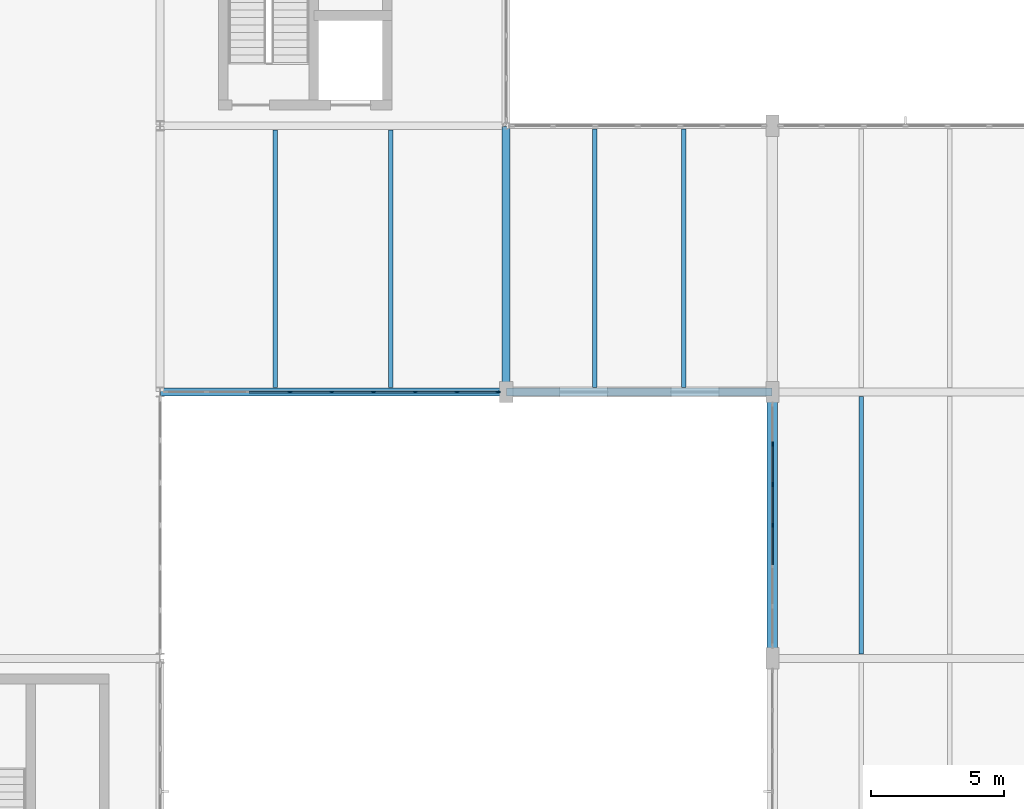
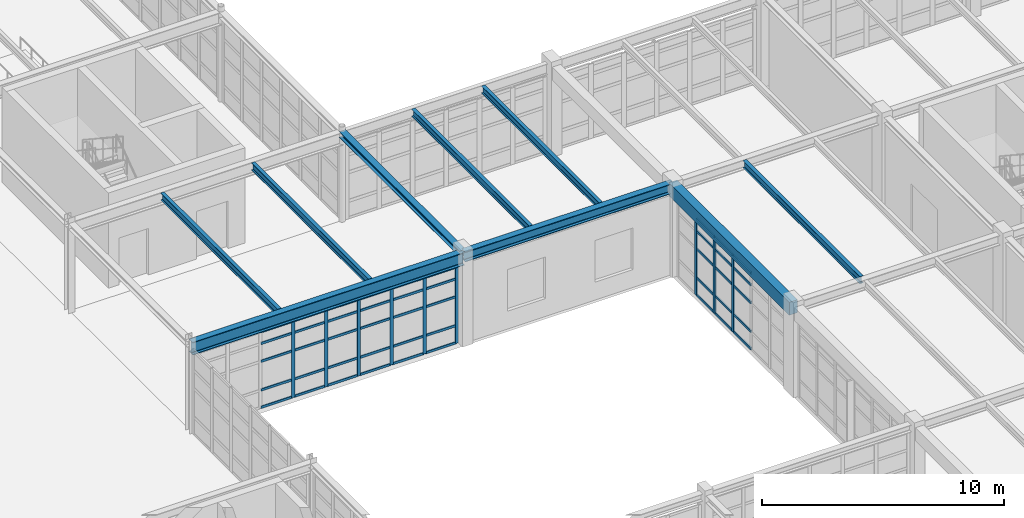
# One storey, part 72 of 139: 54 members, 9 beams, 2 elements without a shape of their own.
"""IFC4 building model written with IfcOpenShell, lengths in metres."""

import ifcopenshell
import ifcopenshell.guid

model = None  # the IFC model being written
_history = None  # IfcOwnerHistory: only IFC2X3 demands one
_inside = {}  # id of a spatial element -> (the spatial element, [elements in it])
_under = {}  # id of a project, library or spatial element -> (it, [spatial elements below it])
_declared = {}  # id of a project -> (the project, [libraries it declares])
_typed = {}  # id of a type object -> (the type object, [elements of that type])
_made_of = {}  # id of a material, layer set ... -> (it, [elements and type objects made of it])


def new_model(schema):
    """Start an empty IFC model of exactly this schema.

    Asked for "IFC4X3", IfcOpenShell would pick the latest addendum, in which some entities
    have other attributes; the version numbers below select the first issue.
    IFC2X3 requires an IfcOwnerHistory on every rooted entity: one is made here for all.
    """
    global model, _history
    if schema == "IFC4X3":
        model = ifcopenshell.file(schema_version=(4, 3, 0, 0))
    else:
        model = ifcopenshell.file(schema=schema)
    _inside.clear()
    _under.clear()
    _declared.clear()
    _typed.clear()
    _made_of.clear()
    _history = None
    if model.schema == "IFC2X3":
        org = make("IfcOrganization", Name="unknown")
        user = make(
            "IfcPersonAndOrganization",
            ThePerson=make("IfcPerson", FamilyName="unknown"),
            TheOrganization=org,
        )
        app = make(
            "IfcApplication",
            ApplicationDeveloper=org,
            Version="unknown",
            ApplicationFullName="unknown",
            ApplicationIdentifier="unknown",
        )
        _history = make(
            "IfcOwnerHistory",
            OwningUser=user,
            OwningApplication=app,
            ChangeAction="ADDED",
            CreationDate=0,
        )
    return model


def make(cls, **values):
    """One entity of the class cls with the attributes given. An attribute that is None is left unset."""
    return model.create_entity(
        cls, **{name: value for name, value in values.items() if value is not None}
    )


def rooted(cls, **values):
    """An entity with a GlobalId (a new one), such as an element, a storey or a relation."""
    return make(cls, GlobalId=ifcopenshell.guid.new(), OwnerHistory=_history, **values)


def si_unit(unit_type, name, prefix=None):
    """IfcSIUnit, for example si_unit("LENGTHUNIT", "METRE", prefix="MILLI")."""
    return make("IfcSIUnit", UnitType=unit_type, Prefix=prefix, Name=name)


def assignment(units):
    """IfcUnitAssignment: the units of a project."""
    return None if units is None else make("IfcUnitAssignment", Units=units)


def point(xyz):
    """IfcCartesianPoint."""
    return None if xyz is None else make("IfcCartesianPoint", Coordinates=xyz)


def direction(xyz):
    """IfcDirection."""
    return None if xyz is None else make("IfcDirection", DirectionRatios=xyz)


def frame(location, z_axis=None, x_axis=None):
    """IfcAxis2Placement3D, a coordinate frame: its origin and axes. An axis left out is left unset."""
    return make(
        "IfcAxis2Placement3D",
        Location=point(location),
        Axis=direction(z_axis),
        RefDirection=direction(x_axis),
    )


def frame_2d(location, x_axis=None):
    """IfcAxis2Placement2D, a coordinate frame in the plane: its origin and x axis."""
    return make(
        "IfcAxis2Placement2D", Location=point(location), RefDirection=direction(x_axis)
    )


def origin():
    """The frame at (0, 0, 0) with its axes left unset."""
    return frame((0.0, 0.0, 0.0))


def origin_2d():
    """The frame at (0, 0) in the plane with its x axis left unset."""
    return frame_2d((0.0, 0.0))


def place(relative_to, where):
    """IfcLocalPlacement: puts the frame where relative to a parent placement (None: the world)."""
    return make(
        "IfcLocalPlacement", PlacementRelTo=relative_to, RelativePlacement=where
    )


def context(
    kind, dimensions, precision=None, world=None, true_north=None, identifier=None
):
    """IfcGeometricRepresentationContext, for example the 3D "Model" context."""
    return make(
        "IfcGeometricRepresentationContext",
        ContextIdentifier=identifier,
        ContextType=kind,
        CoordinateSpaceDimension=dimensions,
        Precision=precision,
        WorldCoordinateSystem=world,
        TrueNorth=true_north,
    )


def subcontext(parent, identifier, kind, view, scale=None):
    """IfcGeometricRepresentationSubContext, for example "Body" below "Model"."""
    return make(
        "IfcGeometricRepresentationSubContext",
        ContextIdentifier=identifier,
        ContextType=kind,
        ParentContext=parent,
        TargetScale=scale,
        TargetView=view,
    )


def project(units=None, contexts=None):
    """IfcProject with its units and contexts."""
    return rooted(
        "IfcProject",
        Name="project",
        RepresentationContexts=contexts,
        UnitsInContext=assignment(units),
    )


def spatial(cls, under=None, at=None, **own):
    """A site, building, storey or space (cls), placed at a placement, below another one or the project."""
    s = rooted(cls, ObjectPlacement=at, **own)
    if under is not None:
        _under.setdefault(under.id(), (under, []))[1].append(s)
    return s


def profile(cls, at=None, kind="AREA", **sizes):
    """A parametric profile (cls). Its sizes go by their IFC names, for example OverallWidth=200.0."""
    return make(cls, ProfileType=kind, Position=at, **sizes)


def rectangle(**sizes):
    """IfcRectangleProfileDef."""
    return profile("IfcRectangleProfileDef", **sizes)


def i_section(**sizes):
    """IfcIShapeProfileDef."""
    return profile("IfcIShapeProfileDef", **sizes)


def extrude(swept, where, along, depth):
    """IfcExtrudedAreaSolid: the profile swept, set in the frame where, extruded along a direction by depth."""
    return make(
        "IfcExtrudedAreaSolid",
        SweptArea=swept,
        Position=where,
        ExtrudedDirection=direction(along),
        Depth=depth,
    )


def shape(context_of_items, identifier, shape_type, items):
    """IfcShapeRepresentation: the items that make up one representation, for example the "Body"."""
    return make(
        "IfcShapeRepresentation",
        ContextOfItems=context_of_items,
        RepresentationIdentifier=identifier,
        RepresentationType=shape_type,
        Items=items,
    )


def material(Name=None, Category=None):
    """IfcMaterial."""
    return make("IfcMaterial", Name=Name, Category=Category)


def layer(
    of_material, thickness, ventilated=None, Name=None, Category=None, Priority=None
):
    """IfcMaterialLayer: one layer of a wall or slab, of a material (None: an air gap)."""
    return make(
        "IfcMaterialLayer",
        Material=of_material,
        LayerThickness=thickness,
        IsVentilated=ventilated,
        Name=Name,
        Category=Category,
        Priority=Priority,
    )


def layer_set(layers, Name=None):
    """IfcMaterialLayerSet."""
    return make("IfcMaterialLayerSet", MaterialLayers=layers, LayerSetName=Name)


def material_profile(
    of_material, cross_section, Name=None, Category=None, Priority=None
):
    """IfcMaterialProfile: a cross section and its material."""
    return make(
        "IfcMaterialProfile",
        Name=Name,
        Material=of_material,
        Profile=cross_section,
        Priority=Priority,
        Category=Category,
    )


def profile_set(profiles, Name=None, composite=None):
    """IfcMaterialProfileSet."""
    return make(
        "IfcMaterialProfileSet",
        Name=Name,
        MaterialProfiles=profiles,
        CompositeProfile=composite,
    )


def made_of(thing, what):
    """Note that an element or type object is made of a material, layer set ...; save() writes the relation."""
    if what is not None:
        _made_of.setdefault(what.id(), (what, []))[1].append(thing)
    return thing


def type_object(cls, material=None, **own):
    """A type object (cls), such as IfcWallType, which elements share."""
    return made_of(rooted(cls, **own), material)


def element(
    cls,
    number,
    at=None,
    inside=None,
    cuts=None,
    type_object=None,
    material=None,
    context=None,
    identifier="Body",
    shape_type=None,
    held_by="IfcProductDefinitionShape",
    body=None,
    shapes=None,
    **own,
):
    """One element of the class cls, such as IfcWall. Its Tag is "e" and its number.

    at: its placement. inside: the storey or other place that contains it. cuts: it is an
    opening in that element (IfcRelVoidsElement). A single representation is given by context,
    identifier, shape_type and body (its items); several are given by shapes. held_by: the class
    of the entity that holds the representations. save() writes the other relations.
    """
    e = rooted(cls, Tag="e%d" % number, ObjectPlacement=at, **own)
    if body is not None:
        shapes = [shape(context, identifier, shape_type, body)]
    if shapes is not None:
        e.Representation = make(held_by, Representations=shapes)
    if inside is not None:
        _inside.setdefault(inside.id(), (inside, []))[1].append(e)
    if cuts is not None:
        rooted(
            "IfcRelVoidsElement", RelatingBuildingElement=cuts, RelatedOpeningElement=e
        )
    if type_object is not None:
        _typed.setdefault(type_object.id(), (type_object, []))[1].append(e)
    return made_of(e, material)


def aggregate(whole, parts):
    """IfcRelAggregates: a whole, such as a stair, and the parts it consists of."""
    return rooted("IfcRelAggregates", RelatingObject=whole, RelatedObjects=parts)


def save(model, path):
    """Write the relations noted so far, then the file.

    IfcRelAggregates (storeys below a building ...), IfcRelContainedInSpatialStructure (elements
    in a storey), IfcRelDefinesByType, IfcRelAssociatesMaterial and IfcRelDeclares: one each for
    every whole, place, type object, material and project.
    """
    for whole, parts in _under.values():
        aggregate(whole, parts)
    for where, things in _inside.values():
        rooted(
            "IfcRelContainedInSpatialStructure",
            RelatedElements=things,
            RelatingStructure=where,
        )
    for kind, things in _typed.values():
        rooted("IfcRelDefinesByType", RelatedObjects=things, RelatingType=kind)
    for what, things in _made_of.values():
        rooted("IfcRelAssociatesMaterial", RelatedObjects=things, RelatingMaterial=what)
    for by, libraries in _declared.values():
        rooted("IfcRelDeclares", RelatingContext=by, RelatedDefinitions=libraries)
    model.write(path)


model = new_model("IFC4")

# Units and contexts
model_context = context("Model", 3, precision=1e-05, world=origin(), true_north=direction((0.0, 1.0)))
body_context = subcontext(model_context, "Body", "Model", "MODEL_VIEW")
ifc_project = project(units=[si_unit("LENGTHUNIT", "METRE"), si_unit("AREAUNIT", "SQUARE_METRE"), si_unit("VOLUMEUNIT", "CUBIC_METRE"), si_unit("PLANEANGLEUNIT", "RADIAN"), si_unit("MASSUNIT", "GRAM", prefix="KILO"), si_unit("THERMODYNAMICTEMPERATUREUNIT", "KELVIN"), si_unit("POWERUNIT", "WATT")], contexts=[model_context])

# Site, building, storey
site_placement = place(None, origin())
site = spatial("IfcSite", under=ifc_project, at=site_placement, CompositionType="ELEMENT")
building_placement = place(site_placement, origin())
building = spatial("IfcBuilding", under=site, at=building_placement, Name="Korenveer Ferry Terminal", CompositionType="ELEMENT")
storey_placement = place(building_placement, frame((0.0, 0.0, 5.39990234375)))
storey = spatial("IfcBuildingStorey", under=building, at=storey_placement, Name="L01", CompositionType="ELEMENT", Elevation=5.39990234375)

# Curtain wall, members
ifc_material_1 = material(Name="Unitised bronze-and-glass curtain wall", Category="glass")
ifc_layer_1 = layer(ifc_material_1, 0.159912109375)
ifc_layer_set_1 = layer_set([ifc_layer_1], Name="Unitised bronze-and-glass curtain wall")
curtain_wall_type_1 = type_object("IfcCurtainWallType", Name="ENV-CW-47", PredefinedType="USERDEFINED", material=ifc_layer_set_1)
curtain_wall_1_placement = place(storey_placement, frame((123.179931640625, 70.0, 0.0)))
curtain_wall_1 = element("IfcCurtainWall", 1, at=curtain_wall_1_placement, inside=storey, type_object=curtain_wall_type_1, Name="Lancet curtain wall CWX-L01-X123-136-Y70-70", ObjectType="UNITISED CURTAIN WALL", PredefinedType="USERDEFINED")
ifc_material_2 = material(Name="Anodised bronze aluminium", Category="aluminium")
ifc_material_profile_1 = material_profile(ifc_material_2, rectangle(XDim=0.06005859375, YDim=0.159912109375, at=origin_2d()), Name="ALU 60x160")
ifc_profile_set_1 = profile_set([ifc_material_profile_1], Name="Anodised bronze aluminium")
member_type_1 = type_object("IfcMemberType", Name="ENV-CWM-60X160", PredefinedType="MULLION", material=ifc_profile_set_1)
member_1_placement = place(storey_placement, frame((127.882568359375, 70.0, 0.0), z_axis=(0.0, 0.0, 1.0), x_axis=(0.0, 1.0, 0.0)))
member_1 = element("IfcMember", 2, at=member_1_placement, type_object=member_type_1, Name="CW-47 mullion 4", PredefinedType="MULLION", context=body_context, shape_type="SweptSolid", body=[
    extrude(rectangle(XDim=0.06005859375, YDim=0.159912109375, at=origin_2d()), origin(), (0.0, 0.0, 1.0), 3.8701171875),
])
member_2_placement = place(storey_placement, frame((129.449951171875, 70.0, 0.0), z_axis=(0.0, 0.0, 1.0), x_axis=(0.0, 1.0, 0.0)))
member_2 = element("IfcMember", 3, at=member_2_placement, type_object=member_type_1, Name="CW-47 mullion 5", PredefinedType="MULLION", context=body_context, shape_type="SweptSolid", body=[
    extrude(rectangle(XDim=0.06005859375, YDim=0.159912109375, at=origin_2d()), origin(), (0.0, 0.0, 1.0), 3.8701171875),
])
member_3_placement = place(storey_placement, frame((131.017578125, 70.0, 0.0), z_axis=(0.0, 0.0, 1.0), x_axis=(0.0, 1.0, 0.0)))
member_3 = element("IfcMember", 4, at=member_3_placement, type_object=member_type_1, Name="CW-47 mullion 6", PredefinedType="MULLION", context=body_context, shape_type="SweptSolid", body=[
    extrude(rectangle(XDim=0.06005859375, YDim=0.159912109375, at=origin_2d()), origin(), (0.0, 0.0, 1.0), 3.8701171875),
])
member_4_placement = place(storey_placement, frame((132.5849609375, 70.0, 0.0), z_axis=(0.0, 0.0, 1.0), x_axis=(0.0, 1.0, 0.0)))
member_4 = element("IfcMember", 5, at=member_4_placement, type_object=member_type_1, Name="CW-47 mullion 7", PredefinedType="MULLION", context=body_context, shape_type="SweptSolid", body=[
    extrude(rectangle(XDim=0.06005859375, YDim=0.159912109375, at=origin_2d()), origin(), (0.0, 0.0, 1.0), 3.8701171875),
])
member_5_placement = place(storey_placement, frame((134.152587890625, 70.0, 0.0), z_axis=(0.0, 0.0, 1.0), x_axis=(0.0, 1.0, 0.0)))
member_5 = element("IfcMember", 6, at=member_5_placement, type_object=member_type_1, Name="CW-47 mullion 8", PredefinedType="MULLION", context=body_context, shape_type="SweptSolid", body=[
    extrude(rectangle(XDim=0.06005859375, YDim=0.159912109375, at=origin_2d()), origin(), (0.0, 0.0, 1.0), 3.8701171875),
])
member_6_placement = place(storey_placement, frame((135.68994140625, 70.0, 0.0), z_axis=(0.0, 0.0, 1.0), x_axis=(0.0, 1.0, 0.0)))
member_6 = element("IfcMember", 7, at=member_6_placement, type_object=member_type_1, Name="CW-47 mullion 9", PredefinedType="MULLION", context=body_context, shape_type="SweptSolid", body=[
    extrude(rectangle(XDim=0.06005859375, YDim=0.159912109375, at=origin_2d()), origin(), (0.0, 0.0, 1.0), 3.8701171875),
])

ifc_layer_2 = layer(ifc_material_1, 0.159912109375)
ifc_layer_set_2 = layer_set([ifc_layer_2], Name="Unitised bronze-and-glass curtain wall")
curtain_wall_type_2 = type_object("IfcCurtainWallType", Name="ENV-CW-79", PredefinedType="USERDEFINED", material=ifc_layer_set_2)
curtain_wall_2_placement = place(storey_placement, frame((146.0, 60.429931640625, 0.0)))
curtain_wall_2 = element("IfcCurtainWall", 8, at=curtain_wall_2_placement, inside=storey, type_object=curtain_wall_type_2, Name="Lancet curtain wall CWX-L01-X146-146-Y60-70", ObjectType="UNITISED CURTAIN WALL", PredefinedType="USERDEFINED")
member_7_placement = place(storey_placement, frame((146.0, 65.0, 0.0), z_axis=(0.0, 0.0, 1.0), x_axis=(-1.0, 0.0, 0.0)))
member_7 = element("IfcMember", 9, at=member_7_placement, type_object=member_type_1, Name="CW-79 mullion 4", PredefinedType="MULLION", context=body_context, shape_type="SweptSolid", body=[
    extrude(rectangle(XDim=0.06005859375, YDim=0.159912109375, at=origin_2d()), origin(), (0.0, 0.0, 1.0), 3.8701171875),
])
member_8_placement = place(storey_placement, frame((146.0, 66.5234375, 0.0), z_axis=(0.0, 0.0, 1.0), x_axis=(-1.0, 0.0, 0.0)))
member_8 = element("IfcMember", 10, at=member_8_placement, type_object=member_type_1, Name="CW-79 mullion 5", PredefinedType="MULLION", context=body_context, shape_type="SweptSolid", body=[
    extrude(rectangle(XDim=0.06005859375, YDim=0.159912109375, at=origin_2d()), origin(), (0.0, 0.0, 1.0), 3.8701171875),
])
member_9_placement = place(storey_placement, frame((146.0, 68.046630859375, 0.0), z_axis=(0.0, 0.0, 1.0), x_axis=(-1.0, 0.0, 0.0)))
member_9 = element("IfcMember", 11, at=member_9_placement, type_object=member_type_1, Name="CW-79 mullion 6", PredefinedType="MULLION", context=body_context, shape_type="SweptSolid", body=[
    extrude(rectangle(XDim=0.06005859375, YDim=0.159912109375, at=origin_2d()), origin(), (0.0, 0.0, 1.0), 3.8701171875),
])

# Member
ifc_material_profile_2 = material_profile(ifc_material_2, rectangle(XDim=0.06005859375, YDim=0.1201171875, at=origin_2d()), Name="ALU 60x120")
ifc_profile_set_2 = profile_set([ifc_material_profile_2], Name="Anodised bronze aluminium")
member_type_2 = type_object("IfcMemberType", Name="ENV-CWT-60X120", PredefinedType="USERDEFINED", material=ifc_profile_set_2)
member_10_placement = place(storey_placement, frame((126.344970703125, 70.0, 0.030029296875), z_axis=(1.0, 0.0, 0.0), x_axis=(0.0, 1.0, 0.0)))
member_10 = element("IfcMember", 12, at=member_10_placement, type_object=member_type_2, Name="CW-47 transom 3.1", ObjectType="TRANSOM", PredefinedType="USERDEFINED", context=body_context, shape_type="SweptSolid", body=[
    extrude(rectangle(XDim=0.06005859375, YDim=0.1201171875, at=origin_2d()), origin(), (0.0, 0.0, 1.0), 1.507568359375),
])

member_11_placement = place(storey_placement, frame((126.344970703125, 70.0, 0.900146484375), z_axis=(1.0, 0.0, 0.0), x_axis=(0.0, 1.0, 0.0)))
member_11 = element("IfcMember", 13, at=member_11_placement, type_object=member_type_2, Name="CW-47 transom 3.2", ObjectType="TRANSOM", PredefinedType="USERDEFINED", context=body_context, shape_type="SweptSolid", body=[
    extrude(rectangle(XDim=0.06005859375, YDim=0.1201171875, at=origin_2d()), origin(), (0.0, 0.0, 1.0), 1.507568359375),
])

member_12_placement = place(storey_placement, frame((126.344970703125, 70.0, 2.35009765625), z_axis=(1.0, 0.0, 0.0), x_axis=(0.0, 1.0, 0.0)))
member_12 = element("IfcMember", 14, at=member_12_placement, type_object=member_type_2, Name="CW-47 transom 3.3", ObjectType="TRANSOM", PredefinedType="USERDEFINED", context=body_context, shape_type="SweptSolid", body=[
    extrude(rectangle(XDim=0.06005859375, YDim=0.1201171875, at=origin_2d()), origin(), (0.0, 0.0, 1.0), 1.507568359375),
])

member_13_placement = place(storey_placement, frame((126.344970703125, 70.0, 3.25), z_axis=(1.0, 0.0, 0.0), x_axis=(0.0, 1.0, 0.0)))
member_13 = element("IfcMember", 15, at=member_13_placement, type_object=member_type_2, Name="CW-47 transom 3.4", ObjectType="TRANSOM", PredefinedType="USERDEFINED", context=body_context, shape_type="SweptSolid", body=[
    extrude(rectangle(XDim=0.06005859375, YDim=0.1201171875, at=origin_2d()), origin(), (0.0, 0.0, 1.0), 1.507568359375),
])

member_14_placement = place(storey_placement, frame((126.344970703125, 70.0, 3.840087890625), z_axis=(1.0, 0.0, 0.0), x_axis=(0.0, 1.0, 0.0)))
member_14 = element("IfcMember", 16, at=member_14_placement, type_object=member_type_2, Name="CW-47 transom 3.5", ObjectType="TRANSOM", PredefinedType="USERDEFINED", context=body_context, shape_type="SweptSolid", body=[
    extrude(rectangle(XDim=0.06005859375, YDim=0.1201171875, at=origin_2d()), origin(), (0.0, 0.0, 1.0), 1.507568359375),
])

member_15_placement = place(storey_placement, frame((127.91259765625, 70.0, 0.030029296875), z_axis=(1.0, 0.0, 0.0), x_axis=(0.0, 1.0, 0.0)))
member_15 = element("IfcMember", 17, at=member_15_placement, type_object=member_type_2, Name="CW-47 transom 4.1", ObjectType="TRANSOM", PredefinedType="USERDEFINED", context=body_context, shape_type="SweptSolid", body=[
    extrude(rectangle(XDim=0.06005859375, YDim=0.1201171875, at=origin_2d()), origin(), (0.0, 0.0, 1.0), 1.50732421875),
])

member_16_placement = place(storey_placement, frame((127.91259765625, 70.0, 0.900146484375), z_axis=(1.0, 0.0, 0.0), x_axis=(0.0, 1.0, 0.0)))
member_16 = element("IfcMember", 18, at=member_16_placement, type_object=member_type_2, Name="CW-47 transom 4.2", ObjectType="TRANSOM", PredefinedType="USERDEFINED", context=body_context, shape_type="SweptSolid", body=[
    extrude(rectangle(XDim=0.06005859375, YDim=0.1201171875, at=origin_2d()), origin(), (0.0, 0.0, 1.0), 1.50732421875),
])

member_17_placement = place(storey_placement, frame((127.91259765625, 70.0, 2.35009765625), z_axis=(1.0, 0.0, 0.0), x_axis=(0.0, 1.0, 0.0)))
member_17 = element("IfcMember", 19, at=member_17_placement, type_object=member_type_2, Name="CW-47 transom 4.3", ObjectType="TRANSOM", PredefinedType="USERDEFINED", context=body_context, shape_type="SweptSolid", body=[
    extrude(rectangle(XDim=0.06005859375, YDim=0.1201171875, at=origin_2d()), origin(), (0.0, 0.0, 1.0), 1.50732421875),
])

member_18_placement = place(storey_placement, frame((127.91259765625, 70.0, 3.25), z_axis=(1.0, 0.0, 0.0), x_axis=(0.0, 1.0, 0.0)))
member_18 = element("IfcMember", 20, at=member_18_placement, type_object=member_type_2, Name="CW-47 transom 4.4", ObjectType="TRANSOM", PredefinedType="USERDEFINED", context=body_context, shape_type="SweptSolid", body=[
    extrude(rectangle(XDim=0.06005859375, YDim=0.1201171875, at=origin_2d()), origin(), (0.0, 0.0, 1.0), 1.50732421875),
])

member_19_placement = place(storey_placement, frame((127.91259765625, 70.0, 3.840087890625), z_axis=(1.0, 0.0, 0.0), x_axis=(0.0, 1.0, 0.0)))
member_19 = element("IfcMember", 21, at=member_19_placement, type_object=member_type_2, Name="CW-47 transom 4.5", ObjectType="TRANSOM", PredefinedType="USERDEFINED", context=body_context, shape_type="SweptSolid", body=[
    extrude(rectangle(XDim=0.06005859375, YDim=0.1201171875, at=origin_2d()), origin(), (0.0, 0.0, 1.0), 1.50732421875),
])

member_20_placement = place(storey_placement, frame((129.47998046875, 70.0, 0.030029296875), z_axis=(1.0, 0.0, 0.0), x_axis=(0.0, 1.0, 0.0)))
member_20 = element("IfcMember", 22, at=member_20_placement, type_object=member_type_2, Name="CW-47 transom 5.1", ObjectType="TRANSOM", PredefinedType="USERDEFINED", context=body_context, shape_type="SweptSolid", body=[
    extrude(rectangle(XDim=0.06005859375, YDim=0.1201171875, at=origin_2d()), origin(), (0.0, 0.0, 1.0), 1.507568359375),
])

member_21_placement = place(storey_placement, frame((129.47998046875, 70.0, 0.900146484375), z_axis=(1.0, 0.0, 0.0), x_axis=(0.0, 1.0, 0.0)))
member_21 = element("IfcMember", 23, at=member_21_placement, type_object=member_type_2, Name="CW-47 transom 5.2", ObjectType="TRANSOM", PredefinedType="USERDEFINED", context=body_context, shape_type="SweptSolid", body=[
    extrude(rectangle(XDim=0.06005859375, YDim=0.1201171875, at=origin_2d()), origin(), (0.0, 0.0, 1.0), 1.507568359375),
])

member_22_placement = place(storey_placement, frame((129.47998046875, 70.0, 2.35009765625), z_axis=(1.0, 0.0, 0.0), x_axis=(0.0, 1.0, 0.0)))
member_22 = element("IfcMember", 24, at=member_22_placement, type_object=member_type_2, Name="CW-47 transom 5.3", ObjectType="TRANSOM", PredefinedType="USERDEFINED", context=body_context, shape_type="SweptSolid", body=[
    extrude(rectangle(XDim=0.06005859375, YDim=0.1201171875, at=origin_2d()), origin(), (0.0, 0.0, 1.0), 1.507568359375),
])

member_23_placement = place(storey_placement, frame((129.47998046875, 70.0, 3.25), z_axis=(1.0, 0.0, 0.0), x_axis=(0.0, 1.0, 0.0)))
member_23 = element("IfcMember", 25, at=member_23_placement, type_object=member_type_2, Name="CW-47 transom 5.4", ObjectType="TRANSOM", PredefinedType="USERDEFINED", context=body_context, shape_type="SweptSolid", body=[
    extrude(rectangle(XDim=0.06005859375, YDim=0.1201171875, at=origin_2d()), origin(), (0.0, 0.0, 1.0), 1.507568359375),
])

member_24_placement = place(storey_placement, frame((129.47998046875, 70.0, 3.840087890625), z_axis=(1.0, 0.0, 0.0), x_axis=(0.0, 1.0, 0.0)))
member_24 = element("IfcMember", 26, at=member_24_placement, type_object=member_type_2, Name="CW-47 transom 5.5", ObjectType="TRANSOM", PredefinedType="USERDEFINED", context=body_context, shape_type="SweptSolid", body=[
    extrude(rectangle(XDim=0.06005859375, YDim=0.1201171875, at=origin_2d()), origin(), (0.0, 0.0, 1.0), 1.507568359375),
])

member_25_placement = place(storey_placement, frame((131.047607421875, 70.0, 0.030029296875), z_axis=(1.0, 0.0, 0.0), x_axis=(0.0, 1.0, 0.0)))
member_25 = element("IfcMember", 27, at=member_25_placement, type_object=member_type_2, Name="CW-47 transom 6.1", ObjectType="TRANSOM", PredefinedType="USERDEFINED", context=body_context, shape_type="SweptSolid", body=[
    extrude(rectangle(XDim=0.06005859375, YDim=0.1201171875, at=origin_2d()), origin(), (0.0, 0.0, 1.0), 1.50732421875),
])

member_26_placement = place(storey_placement, frame((131.047607421875, 70.0, 0.900146484375), z_axis=(1.0, 0.0, 0.0), x_axis=(0.0, 1.0, 0.0)))
member_26 = element("IfcMember", 28, at=member_26_placement, type_object=member_type_2, Name="CW-47 transom 6.2", ObjectType="TRANSOM", PredefinedType="USERDEFINED", context=body_context, shape_type="SweptSolid", body=[
    extrude(rectangle(XDim=0.06005859375, YDim=0.1201171875, at=origin_2d()), origin(), (0.0, 0.0, 1.0), 1.50732421875),
])

member_27_placement = place(storey_placement, frame((131.047607421875, 70.0, 2.35009765625), z_axis=(1.0, 0.0, 0.0), x_axis=(0.0, 1.0, 0.0)))
member_27 = element("IfcMember", 29, at=member_27_placement, type_object=member_type_2, Name="CW-47 transom 6.3", ObjectType="TRANSOM", PredefinedType="USERDEFINED", context=body_context, shape_type="SweptSolid", body=[
    extrude(rectangle(XDim=0.06005859375, YDim=0.1201171875, at=origin_2d()), origin(), (0.0, 0.0, 1.0), 1.50732421875),
])

member_28_placement = place(storey_placement, frame((131.047607421875, 70.0, 3.25), z_axis=(1.0, 0.0, 0.0), x_axis=(0.0, 1.0, 0.0)))
member_28 = element("IfcMember", 30, at=member_28_placement, type_object=member_type_2, Name="CW-47 transom 6.4", ObjectType="TRANSOM", PredefinedType="USERDEFINED", context=body_context, shape_type="SweptSolid", body=[
    extrude(rectangle(XDim=0.06005859375, YDim=0.1201171875, at=origin_2d()), origin(), (0.0, 0.0, 1.0), 1.50732421875),
])

member_29_placement = place(storey_placement, frame((131.047607421875, 70.0, 3.840087890625), z_axis=(1.0, 0.0, 0.0), x_axis=(0.0, 1.0, 0.0)))
member_29 = element("IfcMember", 31, at=member_29_placement, type_object=member_type_2, Name="CW-47 transom 6.5", ObjectType="TRANSOM", PredefinedType="USERDEFINED", context=body_context, shape_type="SweptSolid", body=[
    extrude(rectangle(XDim=0.06005859375, YDim=0.1201171875, at=origin_2d()), origin(), (0.0, 0.0, 1.0), 1.50732421875),
])

member_30_placement = place(storey_placement, frame((132.614990234375, 70.0, 0.030029296875), z_axis=(1.0, 0.0, 0.0), x_axis=(0.0, 1.0, 0.0)))
member_30 = element("IfcMember", 32, at=member_30_placement, type_object=member_type_2, Name="CW-47 transom 7.1", ObjectType="TRANSOM", PredefinedType="USERDEFINED", context=body_context, shape_type="SweptSolid", body=[
    extrude(rectangle(XDim=0.06005859375, YDim=0.1201171875, at=origin_2d()), origin(), (0.0, 0.0, 1.0), 1.507568359375),
])

member_31_placement = place(storey_placement, frame((132.614990234375, 70.0, 0.900146484375), z_axis=(1.0, 0.0, 0.0), x_axis=(0.0, 1.0, 0.0)))
member_31 = element("IfcMember", 33, at=member_31_placement, type_object=member_type_2, Name="CW-47 transom 7.2", ObjectType="TRANSOM", PredefinedType="USERDEFINED", context=body_context, shape_type="SweptSolid", body=[
    extrude(rectangle(XDim=0.06005859375, YDim=0.1201171875, at=origin_2d()), origin(), (0.0, 0.0, 1.0), 1.507568359375),
])

member_32_placement = place(storey_placement, frame((132.614990234375, 70.0, 2.35009765625), z_axis=(1.0, 0.0, 0.0), x_axis=(0.0, 1.0, 0.0)))
member_32 = element("IfcMember", 34, at=member_32_placement, type_object=member_type_2, Name="CW-47 transom 7.3", ObjectType="TRANSOM", PredefinedType="USERDEFINED", context=body_context, shape_type="SweptSolid", body=[
    extrude(rectangle(XDim=0.06005859375, YDim=0.1201171875, at=origin_2d()), origin(), (0.0, 0.0, 1.0), 1.507568359375),
])

member_33_placement = place(storey_placement, frame((132.614990234375, 70.0, 3.25), z_axis=(1.0, 0.0, 0.0), x_axis=(0.0, 1.0, 0.0)))
member_33 = element("IfcMember", 35, at=member_33_placement, type_object=member_type_2, Name="CW-47 transom 7.4", ObjectType="TRANSOM", PredefinedType="USERDEFINED", context=body_context, shape_type="SweptSolid", body=[
    extrude(rectangle(XDim=0.06005859375, YDim=0.1201171875, at=origin_2d()), origin(), (0.0, 0.0, 1.0), 1.507568359375),
])

member_34_placement = place(storey_placement, frame((132.614990234375, 70.0, 3.840087890625), z_axis=(1.0, 0.0, 0.0), x_axis=(0.0, 1.0, 0.0)))
member_34 = element("IfcMember", 36, at=member_34_placement, type_object=member_type_2, Name="CW-47 transom 7.5", ObjectType="TRANSOM", PredefinedType="USERDEFINED", context=body_context, shape_type="SweptSolid", body=[
    extrude(rectangle(XDim=0.06005859375, YDim=0.1201171875, at=origin_2d()), origin(), (0.0, 0.0, 1.0), 1.507568359375),
])

member_35_placement = place(storey_placement, frame((134.1826171875, 70.0, 0.030029296875), z_axis=(1.0, 0.0, 0.0), x_axis=(0.0, 1.0, 0.0)))
member_35 = element("IfcMember", 37, at=member_35_placement, type_object=member_type_2, Name="CW-47 transom 8.1", ObjectType="TRANSOM", PredefinedType="USERDEFINED", context=body_context, shape_type="SweptSolid", body=[
    extrude(rectangle(XDim=0.06005859375, YDim=0.1201171875, at=origin_2d()), origin(), (0.0, 0.0, 1.0), 1.477294921875),
])

member_36_placement = place(storey_placement, frame((134.1826171875, 70.0, 0.900146484375), z_axis=(1.0, 0.0, 0.0), x_axis=(0.0, 1.0, 0.0)))
member_36 = element("IfcMember", 38, at=member_36_placement, type_object=member_type_2, Name="CW-47 transom 8.2", ObjectType="TRANSOM", PredefinedType="USERDEFINED", context=body_context, shape_type="SweptSolid", body=[
    extrude(rectangle(XDim=0.06005859375, YDim=0.1201171875, at=origin_2d()), origin(), (0.0, 0.0, 1.0), 1.477294921875),
])

member_37_placement = place(storey_placement, frame((134.1826171875, 70.0, 2.35009765625), z_axis=(1.0, 0.0, 0.0), x_axis=(0.0, 1.0, 0.0)))
member_37 = element("IfcMember", 39, at=member_37_placement, type_object=member_type_2, Name="CW-47 transom 8.3", ObjectType="TRANSOM", PredefinedType="USERDEFINED", context=body_context, shape_type="SweptSolid", body=[
    extrude(rectangle(XDim=0.06005859375, YDim=0.1201171875, at=origin_2d()), origin(), (0.0, 0.0, 1.0), 1.477294921875),
])

member_38_placement = place(storey_placement, frame((134.1826171875, 70.0, 3.25), z_axis=(1.0, 0.0, 0.0), x_axis=(0.0, 1.0, 0.0)))
member_38 = element("IfcMember", 40, at=member_38_placement, type_object=member_type_2, Name="CW-47 transom 8.4", ObjectType="TRANSOM", PredefinedType="USERDEFINED", context=body_context, shape_type="SweptSolid", body=[
    extrude(rectangle(XDim=0.06005859375, YDim=0.1201171875, at=origin_2d()), origin(), (0.0, 0.0, 1.0), 1.477294921875),
])

member_39_placement = place(storey_placement, frame((134.1826171875, 70.0, 3.840087890625), z_axis=(1.0, 0.0, 0.0), x_axis=(0.0, 1.0, 0.0)))
member_39 = element("IfcMember", 41, at=member_39_placement, type_object=member_type_2, Name="CW-47 transom 8.5", ObjectType="TRANSOM", PredefinedType="USERDEFINED", context=body_context, shape_type="SweptSolid", body=[
    extrude(rectangle(XDim=0.06005859375, YDim=0.1201171875, at=origin_2d()), origin(), (0.0, 0.0, 1.0), 1.477294921875),
])

aggregate(curtain_wall_1, [member_1, member_2, member_3, member_4, member_5, member_6, member_10, member_11, member_12, member_13, member_14, member_15, member_16, member_17, member_18, member_19, member_20, member_21, member_22, member_23, member_24, member_25, member_26, member_27, member_28, member_29, member_30, member_31, member_32, member_33, member_34, member_35, member_36, member_37, member_38, member_39])

member_40_placement = place(storey_placement, frame((146.0, 63.506591796875, 0.030029296875), z_axis=(0.0, 1.0, 0.0), x_axis=(-1.0, 0.0, 0.0)))
member_40 = element("IfcMember", 42, at=member_40_placement, type_object=member_type_2, Name="CW-79 transom 3.1", ObjectType="TRANSOM", PredefinedType="USERDEFINED", context=body_context, shape_type="SweptSolid", body=[
    extrude(rectangle(XDim=0.06005859375, YDim=0.1201171875, at=origin_2d()), origin(), (0.0, 0.0, 1.0), 1.46337890625),
])

member_41_placement = place(storey_placement, frame((146.0, 63.506591796875, 0.900146484375), z_axis=(0.0, 1.0, 0.0), x_axis=(-1.0, 0.0, 0.0)))
member_41 = element("IfcMember", 43, at=member_41_placement, type_object=member_type_2, Name="CW-79 transom 3.2", ObjectType="TRANSOM", PredefinedType="USERDEFINED", context=body_context, shape_type="SweptSolid", body=[
    extrude(rectangle(XDim=0.06005859375, YDim=0.1201171875, at=origin_2d()), origin(), (0.0, 0.0, 1.0), 1.46337890625),
])

member_42_placement = place(storey_placement, frame((146.0, 63.506591796875, 2.35009765625), z_axis=(0.0, 1.0, 0.0), x_axis=(-1.0, 0.0, 0.0)))
member_42 = element("IfcMember", 44, at=member_42_placement, type_object=member_type_2, Name="CW-79 transom 3.3", ObjectType="TRANSOM", PredefinedType="USERDEFINED", context=body_context, shape_type="SweptSolid", body=[
    extrude(rectangle(XDim=0.06005859375, YDim=0.1201171875, at=origin_2d()), origin(), (0.0, 0.0, 1.0), 1.46337890625),
])

member_43_placement = place(storey_placement, frame((146.0, 63.506591796875, 3.25), z_axis=(0.0, 1.0, 0.0), x_axis=(-1.0, 0.0, 0.0)))
member_43 = element("IfcMember", 45, at=member_43_placement, type_object=member_type_2, Name="CW-79 transom 3.4", ObjectType="TRANSOM", PredefinedType="USERDEFINED", context=body_context, shape_type="SweptSolid", body=[
    extrude(rectangle(XDim=0.06005859375, YDim=0.1201171875, at=origin_2d()), origin(), (0.0, 0.0, 1.0), 1.46337890625),
])

member_44_placement = place(storey_placement, frame((146.0, 63.506591796875, 3.840087890625), z_axis=(0.0, 1.0, 0.0), x_axis=(-1.0, 0.0, 0.0)))
member_44 = element("IfcMember", 46, at=member_44_placement, type_object=member_type_2, Name="CW-79 transom 3.5", ObjectType="TRANSOM", PredefinedType="USERDEFINED", context=body_context, shape_type="SweptSolid", body=[
    extrude(rectangle(XDim=0.06005859375, YDim=0.1201171875, at=origin_2d()), origin(), (0.0, 0.0, 1.0), 1.46337890625),
])

member_45_placement = place(storey_placement, frame((146.0, 65.030029296875, 0.030029296875), z_axis=(0.0, 1.0, 0.0), x_axis=(-1.0, 0.0, 0.0)))
member_45 = element("IfcMember", 47, at=member_45_placement, type_object=member_type_2, Name="CW-79 transom 4.1", ObjectType="TRANSOM", PredefinedType="USERDEFINED", context=body_context, shape_type="SweptSolid", body=[
    extrude(rectangle(XDim=0.06005859375, YDim=0.1201171875, at=origin_2d()), origin(), (0.0, 0.0, 1.0), 1.46337890625),
])

member_46_placement = place(storey_placement, frame((146.0, 65.030029296875, 0.900146484375), z_axis=(0.0, 1.0, 0.0), x_axis=(-1.0, 0.0, 0.0)))
member_46 = element("IfcMember", 48, at=member_46_placement, type_object=member_type_2, Name="CW-79 transom 4.2", ObjectType="TRANSOM", PredefinedType="USERDEFINED", context=body_context, shape_type="SweptSolid", body=[
    extrude(rectangle(XDim=0.06005859375, YDim=0.1201171875, at=origin_2d()), origin(), (0.0, 0.0, 1.0), 1.46337890625),
])

member_47_placement = place(storey_placement, frame((146.0, 65.030029296875, 2.35009765625), z_axis=(0.0, 1.0, 0.0), x_axis=(-1.0, 0.0, 0.0)))
member_47 = element("IfcMember", 49, at=member_47_placement, type_object=member_type_2, Name="CW-79 transom 4.3", ObjectType="TRANSOM", PredefinedType="USERDEFINED", context=body_context, shape_type="SweptSolid", body=[
    extrude(rectangle(XDim=0.06005859375, YDim=0.1201171875, at=origin_2d()), origin(), (0.0, 0.0, 1.0), 1.46337890625),
])

member_48_placement = place(storey_placement, frame((146.0, 65.030029296875, 3.25), z_axis=(0.0, 1.0, 0.0), x_axis=(-1.0, 0.0, 0.0)))
member_48 = element("IfcMember", 50, at=member_48_placement, type_object=member_type_2, Name="CW-79 transom 4.4", ObjectType="TRANSOM", PredefinedType="USERDEFINED", context=body_context, shape_type="SweptSolid", body=[
    extrude(rectangle(XDim=0.06005859375, YDim=0.1201171875, at=origin_2d()), origin(), (0.0, 0.0, 1.0), 1.46337890625),
])

member_49_placement = place(storey_placement, frame((146.0, 65.030029296875, 3.840087890625), z_axis=(0.0, 1.0, 0.0), x_axis=(-1.0, 0.0, 0.0)))
member_49 = element("IfcMember", 51, at=member_49_placement, type_object=member_type_2, Name="CW-79 transom 4.5", ObjectType="TRANSOM", PredefinedType="USERDEFINED", context=body_context, shape_type="SweptSolid", body=[
    extrude(rectangle(XDim=0.06005859375, YDim=0.1201171875, at=origin_2d()), origin(), (0.0, 0.0, 1.0), 1.46337890625),
])

member_50_placement = place(storey_placement, frame((146.0, 66.55322265625, 0.030029296875), z_axis=(0.0, 1.0, 0.0), x_axis=(-1.0, 0.0, 0.0)))
member_50 = element("IfcMember", 52, at=member_50_placement, type_object=member_type_2, Name="CW-79 transom 5.1", ObjectType="TRANSOM", PredefinedType="USERDEFINED", context=body_context, shape_type="SweptSolid", body=[
    extrude(rectangle(XDim=0.06005859375, YDim=0.1201171875, at=origin_2d()), origin(), (0.0, 0.0, 1.0), 1.46337890625),
])

member_51_placement = place(storey_placement, frame((146.0, 66.55322265625, 0.900146484375), z_axis=(0.0, 1.0, 0.0), x_axis=(-1.0, 0.0, 0.0)))
member_51 = element("IfcMember", 53, at=member_51_placement, type_object=member_type_2, Name="CW-79 transom 5.2", ObjectType="TRANSOM", PredefinedType="USERDEFINED", context=body_context, shape_type="SweptSolid", body=[
    extrude(rectangle(XDim=0.06005859375, YDim=0.1201171875, at=origin_2d()), origin(), (0.0, 0.0, 1.0), 1.46337890625),
])

member_52_placement = place(storey_placement, frame((146.0, 66.55322265625, 2.35009765625), z_axis=(0.0, 1.0, 0.0), x_axis=(-1.0, 0.0, 0.0)))
member_52 = element("IfcMember", 54, at=member_52_placement, type_object=member_type_2, Name="CW-79 transom 5.3", ObjectType="TRANSOM", PredefinedType="USERDEFINED", context=body_context, shape_type="SweptSolid", body=[
    extrude(rectangle(XDim=0.06005859375, YDim=0.1201171875, at=origin_2d()), origin(), (0.0, 0.0, 1.0), 1.46337890625),
])

member_53_placement = place(storey_placement, frame((146.0, 66.55322265625, 3.25), z_axis=(0.0, 1.0, 0.0), x_axis=(-1.0, 0.0, 0.0)))
member_53 = element("IfcMember", 55, at=member_53_placement, type_object=member_type_2, Name="CW-79 transom 5.4", ObjectType="TRANSOM", PredefinedType="USERDEFINED", context=body_context, shape_type="SweptSolid", body=[
    extrude(rectangle(XDim=0.06005859375, YDim=0.1201171875, at=origin_2d()), origin(), (0.0, 0.0, 1.0), 1.46337890625),
])

member_54_placement = place(storey_placement, frame((146.0, 66.55322265625, 3.840087890625), z_axis=(0.0, 1.0, 0.0), x_axis=(-1.0, 0.0, 0.0)))
member_54 = element("IfcMember", 56, at=member_54_placement, type_object=member_type_2, Name="CW-79 transom 5.5", ObjectType="TRANSOM", PredefinedType="USERDEFINED", context=body_context, shape_type="SweptSolid", body=[
    extrude(rectangle(XDim=0.06005859375, YDim=0.1201171875, at=origin_2d()), origin(), (0.0, 0.0, 1.0), 1.46337890625),
])

aggregate(curtain_wall_2, [member_7, member_8, member_9, member_40, member_41, member_42, member_43, member_44, member_45, member_46, member_47, member_48, member_49, member_50, member_51, member_52, member_53, member_54])

# Beams
ifc_material_3 = material(Name="Steel S355", Category="steel")
ifc_material_profile_3 = material_profile(ifc_material_3, i_section(OverallWidth=0.300048828125, OverallDepth=0.2900390625, WebThickness=0.008544921875, FlangeThickness=0.013916015625, FilletRadius=0.027099609375, at=origin_2d()), Name="HEA 300")
ifc_profile_set_3 = profile_set([ifc_material_profile_3], Name="Steel S355")
beam_type_1 = type_object("IfcBeamType", Name="STR-BM-HEA300", PredefinedType="BEAM", material=ifc_profile_set_3)
beam_1_placement = place(storey_placement, frame((136.0, 70.02001953125, 4.405029296875), z_axis=(0.0, 1.0, 0.0), x_axis=(-1.0, 0.0, 0.0)))
element("IfcBeam", 57, at=beam_1_placement, inside=storey, type_object=beam_type_1, Name="Primary Y girder BMY-L02-X136-Y70-80", PredefinedType="BEAM", context=body_context, shape_type="SweptSolid", body=[
    extrude(i_section(OverallWidth=0.300048828125, OverallDepth=0.2900390625, WebThickness=0.008544921875, FlangeThickness=0.013916015625, FilletRadius=0.027099609375, at=origin_2d()), origin(), (0.0, 0.0, 1.0), 9.9599609375),
])
ifc_material_profile_4 = material_profile(ifc_material_3, i_section(OverallWidth=0.300048828125, OverallDepth=0.5, WebThickness=0.014404296875, FlangeThickness=0.028076171875, FilletRadius=0.027099609375, at=origin_2d()), Name="HEB 500")
ifc_profile_set_4 = profile_set([ifc_material_profile_4], Name="Steel S355")
beam_type_2 = type_object("IfcBeamType", Name="STR-BM-HEB500", PredefinedType="BEAM", material=ifc_profile_set_4)
beam_2_placement = place(storey_placement, frame((136.02001953125, 70.0, 4.300048828125), z_axis=(1.0, 0.0, 0.0), x_axis=(0.0, 1.0, 0.0)))
element("IfcBeam", 58, at=beam_2_placement, inside=storey, type_object=beam_type_2, Name="Primary X girder BMX-L02-X136-146-Y70", PredefinedType="BEAM", context=body_context, shape_type="SweptSolid", body=[
    extrude(i_section(OverallWidth=0.300048828125, OverallDepth=0.5, WebThickness=0.014404296875, FlangeThickness=0.028076171875, FilletRadius=0.027099609375, at=origin_2d()), origin(), (0.0, 0.0, 1.0), 9.9599609375),
])
ifc_material_profile_5 = material_profile(ifc_material_3, i_section(OverallWidth=0.300048828125, OverallDepth=0.64990234375, WebThickness=0.01611328125, FlangeThickness=0.031005859375, FilletRadius=0.027099609375, at=origin_2d()), Name="HEB 650")
ifc_profile_set_5 = profile_set([ifc_material_profile_5], Name="Steel S355")
beam_type_3 = type_object("IfcBeamType", Name="STR-BM-HEB650", PredefinedType="BEAM", material=ifc_profile_set_5)
beam_3_placement = place(storey_placement, frame((123.02001953125, 70.0, 4.22509765625), z_axis=(1.0, 0.0, 0.0), x_axis=(0.0, 1.0, 0.0)))
element("IfcBeam", 59, at=beam_3_placement, inside=storey, type_object=beam_type_3, Name="Primary X girder BMX-L02-X123-136-Y70", PredefinedType="BEAM", context=body_context, shape_type="SweptSolid", body=[
    extrude(i_section(OverallWidth=0.300048828125, OverallDepth=0.64990234375, WebThickness=0.01611328125, FlangeThickness=0.031005859375, FilletRadius=0.027099609375, at=origin_2d()), origin(), (0.0, 0.0, 1.0), 12.9599609375),
])
ifc_material_4 = material(Name="Concrete C40/50", Category="concrete")
ifc_material_profile_6 = material_profile(ifc_material_4, rectangle(XDim=0.39990234375, YDim=0.64990234375, at=origin_2d()), Name="RC 400x650")
ifc_profile_set_6 = profile_set([ifc_material_profile_6], Name="Concrete C40/50")
beam_type_4 = type_object("IfcBeamType", Name="STR-BM-RC400X650", PredefinedType="BEAM", material=ifc_profile_set_6)
beam_4_placement = place(storey_placement, frame((146.0, 60.02001953125, 4.22509765625), z_axis=(0.0, 1.0, 0.0), x_axis=(-1.0, 0.0, 0.0)))
element("IfcBeam", 60, at=beam_4_placement, inside=storey, type_object=beam_type_4, Name="Primary Y girder BMY-L02-X146-Y60-70", PredefinedType="BEAM", context=body_context, shape_type="SweptSolid", body=[
    extrude(rectangle(XDim=0.39990234375, YDim=0.64990234375, at=origin_2d()), origin(), (0.0, 0.0, 1.0), 9.9599609375),
])
ifc_material_profile_7 = material_profile(ifc_material_3, i_section(OverallWidth=0.169921875, OverallDepth=0.360107421875, WebThickness=0.008056640625, FlangeThickness=0.0126953125, FilletRadius=0.01806640625, at=origin_2d()), Name="IPE 360")
ifc_profile_set_7 = profile_set([ifc_material_profile_7], Name="Steel S355")
beam_type_5 = type_object("IfcBeamType", Name="STR-JST-IPE360", PredefinedType="JOIST", material=ifc_profile_set_7)
for number, where, z_axis, x_axis, name in (
    (61, (127.333251953125, 70.159912109375, 4.3701171875), (0.0, 1.0, 0.0), (-1.0, 0.0, 0.0), "Secondary composite joist JST-L02-X1273-Y70-80"),
    (62, (131.666748046875, 70.159912109375, 4.3701171875), (0.0, 1.0, 0.0), (-1.0, 0.0, 0.0), "Secondary composite joist JST-L02-X1317-Y70-80"),
):
    element("IfcBeam", number, at=place(storey_placement, frame(where, z_axis=z_axis, x_axis=x_axis)), inside=storey, type_object=beam_type_5, Name=name, PredefinedType="JOIST", context=body_context, shape_type="SweptSolid", body=[
        extrude(i_section(OverallWidth=0.169921875, OverallDepth=0.360107421875, WebThickness=0.008056640625, FlangeThickness=0.0126953125, FilletRadius=0.01806640625, at=origin_2d()), origin(), (0.0, 0.0, 1.0), 9.68017578125),
    ])
for number, where, z_axis, x_axis, name in (
    (63, (139.333251953125, 70.159912109375, 4.3701171875), (0.0, 1.0, 0.0), (-1.0, 0.0, 0.0), "Secondary composite joist JST-L02-X1393-Y70-80"),
    (64, (142.666748046875, 70.159912109375, 4.3701171875), (0.0, 1.0, 0.0), (-1.0, 0.0, 0.0), "Secondary composite joist JST-L02-X1427-Y70-80"),
):
    element("IfcBeam", number, at=place(storey_placement, frame(where, z_axis=z_axis, x_axis=x_axis)), inside=storey, type_object=beam_type_5, Name=name, PredefinedType="JOIST", context=body_context, shape_type="SweptSolid", body=[
        extrude(i_section(OverallWidth=0.169921875, OverallDepth=0.360107421875, WebThickness=0.008056640625, FlangeThickness=0.0126953125, FilletRadius=0.01806640625, at=origin_2d()), origin(), (0.0, 0.0, 1.0), 9.72509765625),
    ])
beam_5_placement = place(storey_placement, frame((149.333251953125, 60.159912109375, 4.3701171875), z_axis=(0.0, 1.0, 0.0), x_axis=(-1.0, 0.0, 0.0)))
element("IfcBeam", 65, at=beam_5_placement, inside=storey, type_object=beam_type_5, Name="Secondary composite joist JST-L02-X1493-Y60-70", PredefinedType="JOIST", context=body_context, shape_type="SweptSolid", body=[
    extrude(i_section(OverallWidth=0.169921875, OverallDepth=0.360107421875, WebThickness=0.008056640625, FlangeThickness=0.0126953125, FilletRadius=0.01806640625, at=origin_2d()), origin(), (0.0, 0.0, 1.0), 9.68017578125),
])

save(model, "model.ifc")
